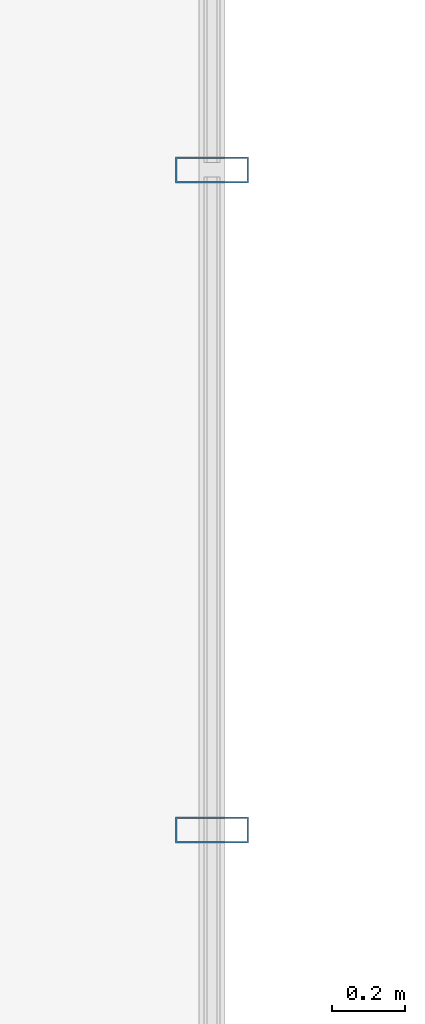
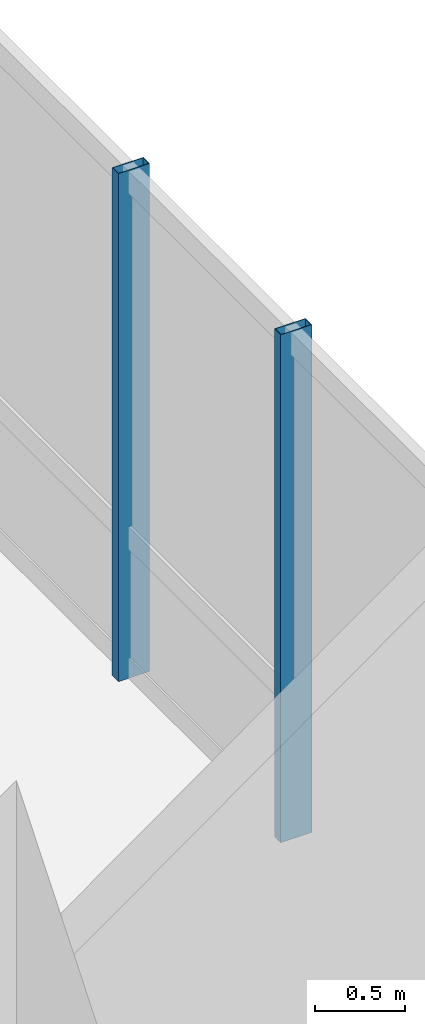
# One storey, part 10 of 24: 2 members, 1 element without a shape of its own.
"""IFC4 building model written with IfcOpenShell, lengths in metres."""

import ifcopenshell
import ifcopenshell.guid

model = None  # the IFC model being written
_history = None  # IfcOwnerHistory: only IFC2X3 demands one
_inside = {}  # id of a spatial element -> (the spatial element, [elements in it])
_under = {}  # id of a project, library or spatial element -> (it, [spatial elements below it])
_declared = {}  # id of a project -> (the project, [libraries it declares])
_typed = {}  # id of a type object -> (the type object, [elements of that type])
_made_of = {}  # id of a material, layer set ... -> (it, [elements and type objects made of it])


def new_model(schema):
    """Start an empty IFC model of exactly this schema.

    Asked for "IFC4X3", IfcOpenShell would pick the latest addendum, in which some entities
    have other attributes; the version numbers below select the first issue.
    IFC2X3 requires an IfcOwnerHistory on every rooted entity: one is made here for all.
    """
    global model, _history
    if schema == "IFC4X3":
        model = ifcopenshell.file(schema_version=(4, 3, 0, 0))
    else:
        model = ifcopenshell.file(schema=schema)
    _inside.clear()
    _under.clear()
    _declared.clear()
    _typed.clear()
    _made_of.clear()
    _history = None
    if model.schema == "IFC2X3":
        org = make("IfcOrganization", Name="unknown")
        user = make(
            "IfcPersonAndOrganization",
            ThePerson=make("IfcPerson", FamilyName="unknown"),
            TheOrganization=org,
        )
        app = make(
            "IfcApplication",
            ApplicationDeveloper=org,
            Version="unknown",
            ApplicationFullName="unknown",
            ApplicationIdentifier="unknown",
        )
        _history = make(
            "IfcOwnerHistory",
            OwningUser=user,
            OwningApplication=app,
            ChangeAction="ADDED",
            CreationDate=0,
        )
    return model


def make(cls, **values):
    """One entity of the class cls with the attributes given. An attribute that is None is left unset."""
    return model.create_entity(
        cls, **{name: value for name, value in values.items() if value is not None}
    )


def rooted(cls, **values):
    """An entity with a GlobalId (a new one), such as an element, a storey or a relation."""
    return make(cls, GlobalId=ifcopenshell.guid.new(), OwnerHistory=_history, **values)


def si_unit(unit_type, name, prefix=None):
    """IfcSIUnit, for example si_unit("LENGTHUNIT", "METRE", prefix="MILLI")."""
    return make("IfcSIUnit", UnitType=unit_type, Prefix=prefix, Name=name)


def assignment(units):
    """IfcUnitAssignment: the units of a project."""
    return None if units is None else make("IfcUnitAssignment", Units=units)


def point(xyz):
    """IfcCartesianPoint."""
    return None if xyz is None else make("IfcCartesianPoint", Coordinates=xyz)


def direction(xyz):
    """IfcDirection."""
    return None if xyz is None else make("IfcDirection", DirectionRatios=xyz)


def frame(location, z_axis=None, x_axis=None):
    """IfcAxis2Placement3D, a coordinate frame: its origin and axes. An axis left out is left unset."""
    return make(
        "IfcAxis2Placement3D",
        Location=point(location),
        Axis=direction(z_axis),
        RefDirection=direction(x_axis),
    )


def frame_2d(location, x_axis=None):
    """IfcAxis2Placement2D, a coordinate frame in the plane: its origin and x axis."""
    return make(
        "IfcAxis2Placement2D", Location=point(location), RefDirection=direction(x_axis)
    )


def origin():
    """The frame at (0, 0, 0) with its axes left unset."""
    return frame((0.0, 0.0, 0.0))


def origin_2d():
    """The frame at (0, 0) in the plane with its x axis left unset."""
    return frame_2d((0.0, 0.0))


def place(relative_to, where):
    """IfcLocalPlacement: puts the frame where relative to a parent placement (None: the world)."""
    return make(
        "IfcLocalPlacement", PlacementRelTo=relative_to, RelativePlacement=where
    )


def context(
    kind, dimensions, precision=None, world=None, true_north=None, identifier=None
):
    """IfcGeometricRepresentationContext, for example the 3D "Model" context."""
    return make(
        "IfcGeometricRepresentationContext",
        ContextIdentifier=identifier,
        ContextType=kind,
        CoordinateSpaceDimension=dimensions,
        Precision=precision,
        WorldCoordinateSystem=world,
        TrueNorth=true_north,
    )


def subcontext(parent, identifier, kind, view, scale=None):
    """IfcGeometricRepresentationSubContext, for example "Body" below "Model"."""
    return make(
        "IfcGeometricRepresentationSubContext",
        ContextIdentifier=identifier,
        ContextType=kind,
        ParentContext=parent,
        TargetScale=scale,
        TargetView=view,
    )


def project(units=None, contexts=None):
    """IfcProject with its units and contexts."""
    return rooted(
        "IfcProject",
        Name="project",
        RepresentationContexts=contexts,
        UnitsInContext=assignment(units),
    )


def spatial(cls, under=None, at=None, **own):
    """A site, building, storey or space (cls), placed at a placement, below another one or the project."""
    s = rooted(cls, ObjectPlacement=at, **own)
    if under is not None:
        _under.setdefault(under.id(), (under, []))[1].append(s)
    return s


def profile(cls, at=None, kind="AREA", **sizes):
    """A parametric profile (cls). Its sizes go by their IFC names, for example OverallWidth=200.0."""
    return make(cls, ProfileType=kind, Position=at, **sizes)


def hollow_rectangle(**sizes):
    """IfcRectangleHollowProfileDef."""
    return profile("IfcRectangleHollowProfileDef", **sizes)


def extrude(swept, where, along, depth):
    """IfcExtrudedAreaSolid: the profile swept, set in the frame where, extruded along a direction by depth."""
    return make(
        "IfcExtrudedAreaSolid",
        SweptArea=swept,
        Position=where,
        ExtrudedDirection=direction(along),
        Depth=depth,
    )


def shape(context_of_items, identifier, shape_type, items):
    """IfcShapeRepresentation: the items that make up one representation, for example the "Body"."""
    return make(
        "IfcShapeRepresentation",
        ContextOfItems=context_of_items,
        RepresentationIdentifier=identifier,
        RepresentationType=shape_type,
        Items=items,
    )


def source(mapping_origin, context_of_items, identifier, shape_type, items):
    """IfcRepresentationMap: a shape defined once, which mapped items show again and again."""
    return make(
        "IfcRepresentationMap",
        MappingOrigin=mapping_origin,
        MappedRepresentation=shape(context_of_items, identifier, shape_type, items),
    )


def transform(
    local_origin,
    x_axis=None,
    y_axis=None,
    z_axis=None,
    scale=None,
    scale2=None,
    scale3=None,
    uniform=True,
):
    """IfcCartesianTransformationOperator3D, or its non-uniform kind. x_axis, y_axis, z_axis: its Axis1, 2, 3."""
    if uniform:
        return make(
            "IfcCartesianTransformationOperator3D",
            Axis1=direction(x_axis),
            Axis2=direction(y_axis),
            LocalOrigin=point(local_origin),
            Scale=scale,
            Axis3=direction(z_axis),
        )
    return make(
        "IfcCartesianTransformationOperator3DnonUniform",
        Axis1=direction(x_axis),
        Axis2=direction(y_axis),
        LocalOrigin=point(local_origin),
        Scale=scale,
        Axis3=direction(z_axis),
        Scale2=scale2,
        Scale3=scale3,
    )


def mapped(mapping_source, mapping_target):
    """IfcMappedItem: shows the shape of a source again, moved by a transform."""
    return make(
        "IfcMappedItem", MappingSource=mapping_source, MappingTarget=mapping_target
    )


def material(Name=None, Category=None):
    """IfcMaterial."""
    return make("IfcMaterial", Name=Name, Category=Category)


def layer(
    of_material, thickness, ventilated=None, Name=None, Category=None, Priority=None
):
    """IfcMaterialLayer: one layer of a wall or slab, of a material (None: an air gap)."""
    return make(
        "IfcMaterialLayer",
        Material=of_material,
        LayerThickness=thickness,
        IsVentilated=ventilated,
        Name=Name,
        Category=Category,
        Priority=Priority,
    )


def layer_set(layers, Name=None):
    """IfcMaterialLayerSet."""
    return make("IfcMaterialLayerSet", MaterialLayers=layers, LayerSetName=Name)


def material_profile(
    of_material, cross_section, Name=None, Category=None, Priority=None
):
    """IfcMaterialProfile: a cross section and its material."""
    return make(
        "IfcMaterialProfile",
        Name=Name,
        Material=of_material,
        Profile=cross_section,
        Priority=Priority,
        Category=Category,
    )


def profile_set(profiles, Name=None, composite=None):
    """IfcMaterialProfileSet."""
    return make(
        "IfcMaterialProfileSet",
        Name=Name,
        MaterialProfiles=profiles,
        CompositeProfile=composite,
    )


def made_of(thing, what):
    """Note that an element or type object is made of a material, layer set ...; save() writes the relation."""
    if what is not None:
        _made_of.setdefault(what.id(), (what, []))[1].append(thing)
    return thing


def type_object(cls, material=None, **own):
    """A type object (cls), such as IfcWallType, which elements share."""
    return made_of(rooted(cls, **own), material)


def element(
    cls,
    number,
    at=None,
    inside=None,
    cuts=None,
    type_object=None,
    material=None,
    context=None,
    identifier="Body",
    shape_type=None,
    held_by="IfcProductDefinitionShape",
    body=None,
    shapes=None,
    **own,
):
    """One element of the class cls, such as IfcWall. Its Tag is "e" and its number.

    at: its placement. inside: the storey or other place that contains it. cuts: it is an
    opening in that element (IfcRelVoidsElement). A single representation is given by context,
    identifier, shape_type and body (its items); several are given by shapes. held_by: the class
    of the entity that holds the representations. save() writes the other relations.
    """
    e = rooted(cls, Tag="e%d" % number, ObjectPlacement=at, **own)
    if body is not None:
        shapes = [shape(context, identifier, shape_type, body)]
    if shapes is not None:
        e.Representation = make(held_by, Representations=shapes)
    if inside is not None:
        _inside.setdefault(inside.id(), (inside, []))[1].append(e)
    if cuts is not None:
        rooted(
            "IfcRelVoidsElement", RelatingBuildingElement=cuts, RelatedOpeningElement=e
        )
    if type_object is not None:
        _typed.setdefault(type_object.id(), (type_object, []))[1].append(e)
    return made_of(e, material)


def aggregate(whole, parts):
    """IfcRelAggregates: a whole, such as a stair, and the parts it consists of."""
    return rooted("IfcRelAggregates", RelatingObject=whole, RelatedObjects=parts)


def save(model, path):
    """Write the relations noted so far, then the file.

    IfcRelAggregates (storeys below a building ...), IfcRelContainedInSpatialStructure (elements
    in a storey), IfcRelDefinesByType, IfcRelAssociatesMaterial and IfcRelDeclares: one each for
    every whole, place, type object, material and project.
    """
    for whole, parts in _under.values():
        aggregate(whole, parts)
    for where, things in _inside.values():
        rooted(
            "IfcRelContainedInSpatialStructure",
            RelatedElements=things,
            RelatingStructure=where,
        )
    for kind, things in _typed.values():
        rooted("IfcRelDefinesByType", RelatedObjects=things, RelatingType=kind)
    for what, things in _made_of.values():
        rooted("IfcRelAssociatesMaterial", RelatedObjects=things, RelatingMaterial=what)
    for by, libraries in _declared.values():
        rooted("IfcRelDeclares", RelatingContext=by, RelatedDefinitions=libraries)
    model.write(path)


model = new_model("IFC4")

# Units and contexts
model_context = context("Model", 3, precision=1e-05, world=origin(), true_north=direction((0.0, 1.0)))
body_context = subcontext(model_context, "Body", "Model", "MODEL_VIEW")
ifc_project = project(units=[si_unit("LENGTHUNIT", "METRE"), si_unit("AREAUNIT", "SQUARE_METRE"), si_unit("VOLUMEUNIT", "CUBIC_METRE"), si_unit("PLANEANGLEUNIT", "RADIAN"), si_unit("MASSUNIT", "GRAM", prefix="KILO")], contexts=[model_context])

# Site, building, storey
site_placement = place(None, origin())
site = spatial("IfcSite", under=ifc_project, at=site_placement, CompositionType="ELEMENT")
building_placement = place(site_placement, origin())
building = spatial("IfcBuilding", under=site, at=building_placement, Name="Kaliganga Portal Commons", CompositionType="ELEMENT")
storey_placement = place(building_placement, frame((0.0, 0.0, 235.10009765625)))
storey = spatial("IfcBuildingStorey", under=building, at=storey_placement, Name="L60", CompositionType="ELEMENT", Elevation=235.10009765625)

# Curtain wall, members
ifc_material_1 = material(Name="Anodized Aluminium and Laminated Low-E Glass", Category="aluminium")
ifc_layer = layer(ifc_material_1, 0.239990234375)
ifc_layer_set = layer_set([ifc_layer], Name="Anodized Aluminium and Laminated Low-E Glass")
curtain_wall_type = type_object("IfcCurtainWallType", Name="CW-SYS-04", PredefinedType="NOTDEFINED", material=ifc_layer_set)
curtain_wall_placement = place(storey_placement, origin())
curtain_wall = element("IfcCurtainWall", 1, at=curtain_wall_placement, inside=storey, type_object=curtain_wall_type, Name="CW 04 L60 P1E01S1", PredefinedType="NOTDEFINED")
ifc_material_2 = material(Name="Dark Bronze Anodized Aluminium", Category="aluminium")
ifc_material_profile = material_profile(ifc_material_2, hollow_rectangle(XDim=0.070068359375, YDim=0.199951171875, WallThickness=0.00390625, at=origin_2d()), Name="ALU MULL 70x200x4")
ifc_profile_set = profile_set([ifc_material_profile], Name="Dark Bronze Anodized Aluminium")
member_type = type_object("IfcMemberType", Name="CW-MUL-220", PredefinedType="MULLION", material=ifc_profile_set)
shared_shape = source(origin(), body_context, "Body", "SweptSolid", [
    extrude(hollow_rectangle(XDim=0.070068359375, YDim=0.199951171875, WallThickness=0.00390625, at=origin_2d()), origin(), (0.0, 0.0, 1.0), 3.43994140625),
])
member_1_placement = place(storey_placement, frame((39.10009765625, 30.60009765625, 0.0), z_axis=(0.0, 0.0, 1.0), x_axis=(0.0, 1.0, 0.0)))
member_1 = element("IfcMember", 2, at=member_1_placement, type_object=member_type, Name="CW:04:L60:P1E01S1 Mullion 05", PredefinedType="MULLION", context=body_context, shape_type="MappedRepresentation", body=[
    mapped(shared_shape, transform((0.0, 0.0, 0.0), x_axis=(1.0, 0.0, 0.0), y_axis=(0.0, 1.0, 0.0), z_axis=(0.0, 0.0, 1.0), scale=1.0)),
])
member_2_placement = place(storey_placement, frame((39.10009765625, 32.39990234375, 0.0), z_axis=(0.0, 0.0, 1.0), x_axis=(0.0, 1.0, 0.0)))
member_2 = element("IfcMember", 3, at=member_2_placement, type_object=member_type, Name="CW:04:L60:P1E01S1 Mullion 06", PredefinedType="MULLION", context=body_context, shape_type="MappedRepresentation", body=[
    mapped(shared_shape, transform((0.0, 0.0, 0.0), x_axis=(1.0, 0.0, 0.0), y_axis=(0.0, 1.0, 0.0), z_axis=(0.0, 0.0, 1.0), scale=1.0)),
])
aggregate(curtain_wall, [member_1, member_2])

save(model, "model.ifc")
